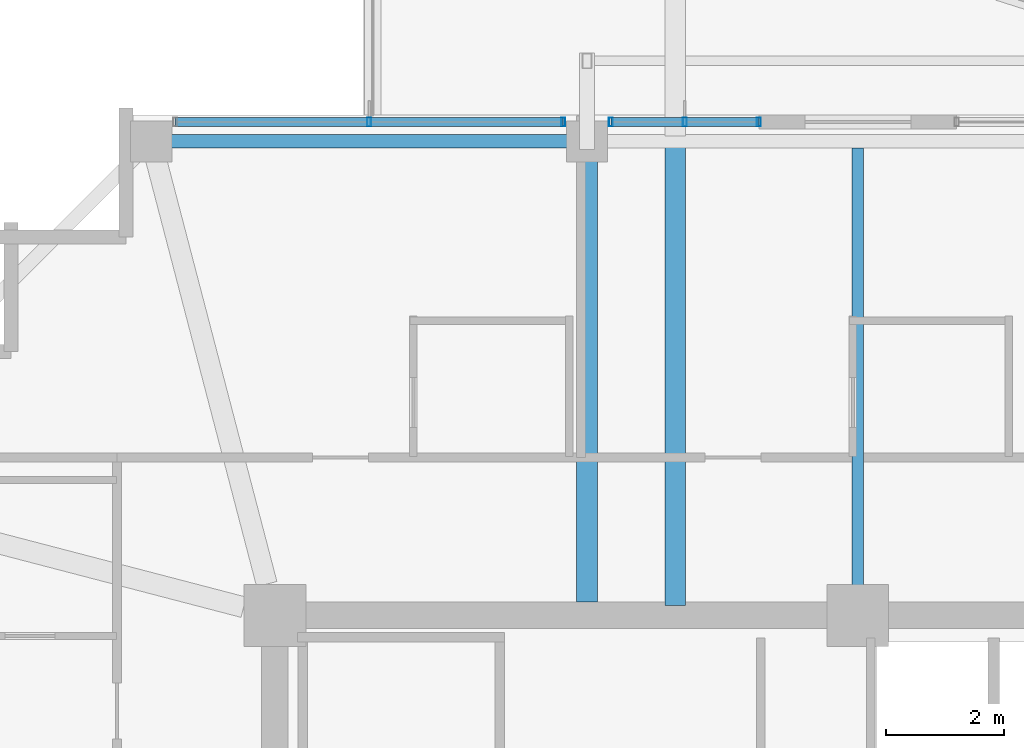
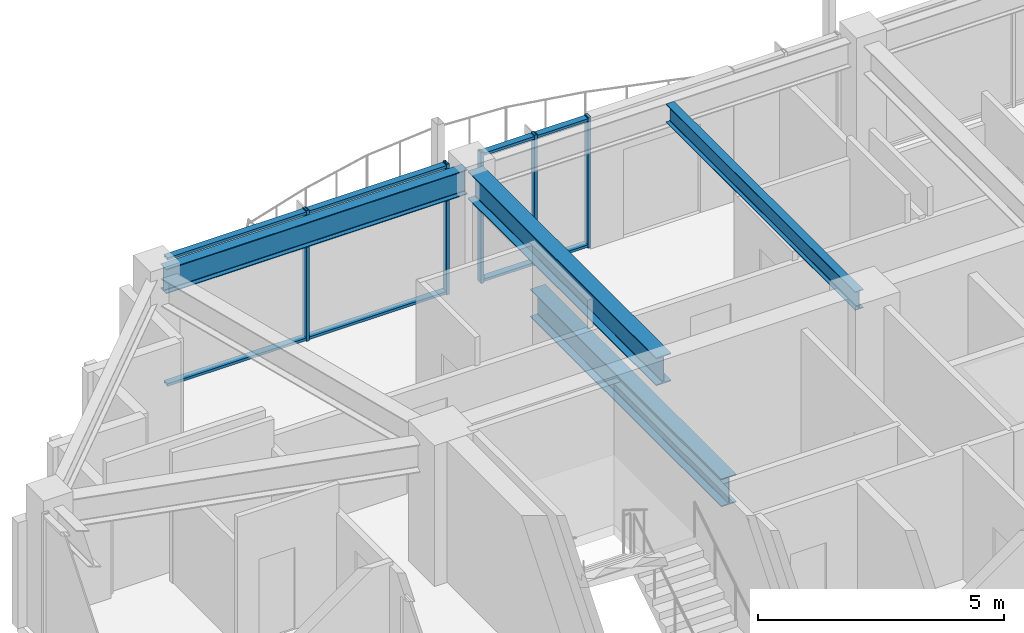
# One storey, part 16 of 34: 9 members, 4 beams, 2 elements without a shape of their own.
"""IFC4 building model written with IfcOpenShell, lengths in metres."""

import ifcopenshell
import ifcopenshell.guid

model = None  # the IFC model being written
_history = None  # IfcOwnerHistory: only IFC2X3 demands one
_inside = {}  # id of a spatial element -> (the spatial element, [elements in it])
_under = {}  # id of a project, library or spatial element -> (it, [spatial elements below it])
_declared = {}  # id of a project -> (the project, [libraries it declares])
_typed = {}  # id of a type object -> (the type object, [elements of that type])
_made_of = {}  # id of a material, layer set ... -> (it, [elements and type objects made of it])


def new_model(schema):
    """Start an empty IFC model of exactly this schema.

    Asked for "IFC4X3", IfcOpenShell would pick the latest addendum, in which some entities
    have other attributes; the version numbers below select the first issue.
    IFC2X3 requires an IfcOwnerHistory on every rooted entity: one is made here for all.
    """
    global model, _history
    if schema == "IFC4X3":
        model = ifcopenshell.file(schema_version=(4, 3, 0, 0))
    else:
        model = ifcopenshell.file(schema=schema)
    _inside.clear()
    _under.clear()
    _declared.clear()
    _typed.clear()
    _made_of.clear()
    _history = None
    if model.schema == "IFC2X3":
        org = make("IfcOrganization", Name="unknown")
        user = make(
            "IfcPersonAndOrganization",
            ThePerson=make("IfcPerson", FamilyName="unknown"),
            TheOrganization=org,
        )
        app = make(
            "IfcApplication",
            ApplicationDeveloper=org,
            Version="unknown",
            ApplicationFullName="unknown",
            ApplicationIdentifier="unknown",
        )
        _history = make(
            "IfcOwnerHistory",
            OwningUser=user,
            OwningApplication=app,
            ChangeAction="ADDED",
            CreationDate=0,
        )
    return model


def make(cls, **values):
    """One entity of the class cls with the attributes given. An attribute that is None is left unset."""
    return model.create_entity(
        cls, **{name: value for name, value in values.items() if value is not None}
    )


def rooted(cls, **values):
    """An entity with a GlobalId (a new one), such as an element, a storey or a relation."""
    return make(cls, GlobalId=ifcopenshell.guid.new(), OwnerHistory=_history, **values)


def si_unit(unit_type, name, prefix=None):
    """IfcSIUnit, for example si_unit("LENGTHUNIT", "METRE", prefix="MILLI")."""
    return make("IfcSIUnit", UnitType=unit_type, Prefix=prefix, Name=name)


def assignment(units):
    """IfcUnitAssignment: the units of a project."""
    return None if units is None else make("IfcUnitAssignment", Units=units)


def point(xyz):
    """IfcCartesianPoint."""
    return None if xyz is None else make("IfcCartesianPoint", Coordinates=xyz)


def direction(xyz):
    """IfcDirection."""
    return None if xyz is None else make("IfcDirection", DirectionRatios=xyz)


def frame(location, z_axis=None, x_axis=None):
    """IfcAxis2Placement3D, a coordinate frame: its origin and axes. An axis left out is left unset."""
    return make(
        "IfcAxis2Placement3D",
        Location=point(location),
        Axis=direction(z_axis),
        RefDirection=direction(x_axis),
    )


def frame_2d(location, x_axis=None):
    """IfcAxis2Placement2D, a coordinate frame in the plane: its origin and x axis."""
    return make(
        "IfcAxis2Placement2D", Location=point(location), RefDirection=direction(x_axis)
    )


def origin():
    """The frame at (0, 0, 0) with its axes left unset."""
    return frame((0.0, 0.0, 0.0))


def origin_2d():
    """The frame at (0, 0) in the plane with its x axis left unset."""
    return frame_2d((0.0, 0.0))


def place(relative_to, where):
    """IfcLocalPlacement: puts the frame where relative to a parent placement (None: the world)."""
    return make(
        "IfcLocalPlacement", PlacementRelTo=relative_to, RelativePlacement=where
    )


def context(
    kind, dimensions, precision=None, world=None, true_north=None, identifier=None
):
    """IfcGeometricRepresentationContext, for example the 3D "Model" context."""
    return make(
        "IfcGeometricRepresentationContext",
        ContextIdentifier=identifier,
        ContextType=kind,
        CoordinateSpaceDimension=dimensions,
        Precision=precision,
        WorldCoordinateSystem=world,
        TrueNorth=true_north,
    )


def subcontext(parent, identifier, kind, view, scale=None):
    """IfcGeometricRepresentationSubContext, for example "Body" below "Model"."""
    return make(
        "IfcGeometricRepresentationSubContext",
        ContextIdentifier=identifier,
        ContextType=kind,
        ParentContext=parent,
        TargetScale=scale,
        TargetView=view,
    )


def project(units=None, contexts=None):
    """IfcProject with its units and contexts."""
    return rooted(
        "IfcProject",
        Name="project",
        RepresentationContexts=contexts,
        UnitsInContext=assignment(units),
    )


def spatial(cls, under=None, at=None, **own):
    """A site, building, storey or space (cls), placed at a placement, below another one or the project."""
    s = rooted(cls, ObjectPlacement=at, **own)
    if under is not None:
        _under.setdefault(under.id(), (under, []))[1].append(s)
    return s


def profile(cls, at=None, kind="AREA", **sizes):
    """A parametric profile (cls). Its sizes go by their IFC names, for example OverallWidth=200.0."""
    return make(cls, ProfileType=kind, Position=at, **sizes)


def hollow_rectangle(**sizes):
    """IfcRectangleHollowProfileDef."""
    return profile("IfcRectangleHollowProfileDef", **sizes)


def i_section(**sizes):
    """IfcIShapeProfileDef."""
    return profile("IfcIShapeProfileDef", **sizes)


def extrude(swept, where, along, depth):
    """IfcExtrudedAreaSolid: the profile swept, set in the frame where, extruded along a direction by depth."""
    return make(
        "IfcExtrudedAreaSolid",
        SweptArea=swept,
        Position=where,
        ExtrudedDirection=direction(along),
        Depth=depth,
    )


def shape(context_of_items, identifier, shape_type, items):
    """IfcShapeRepresentation: the items that make up one representation, for example the "Body"."""
    return make(
        "IfcShapeRepresentation",
        ContextOfItems=context_of_items,
        RepresentationIdentifier=identifier,
        RepresentationType=shape_type,
        Items=items,
    )


def material(Name=None, Category=None):
    """IfcMaterial."""
    return make("IfcMaterial", Name=Name, Category=Category)


def material_profile(
    of_material, cross_section, Name=None, Category=None, Priority=None
):
    """IfcMaterialProfile: a cross section and its material."""
    return make(
        "IfcMaterialProfile",
        Name=Name,
        Material=of_material,
        Profile=cross_section,
        Priority=Priority,
        Category=Category,
    )


def profile_set(profiles, Name=None, composite=None):
    """IfcMaterialProfileSet."""
    return make(
        "IfcMaterialProfileSet",
        Name=Name,
        MaterialProfiles=profiles,
        CompositeProfile=composite,
    )


def made_of(thing, what):
    """Note that an element or type object is made of a material, layer set ...; save() writes the relation."""
    if what is not None:
        _made_of.setdefault(what.id(), (what, []))[1].append(thing)
    return thing


def type_object(cls, material=None, **own):
    """A type object (cls), such as IfcWallType, which elements share."""
    return made_of(rooted(cls, **own), material)


def element(
    cls,
    number,
    at=None,
    inside=None,
    cuts=None,
    type_object=None,
    material=None,
    context=None,
    identifier="Body",
    shape_type=None,
    held_by="IfcProductDefinitionShape",
    body=None,
    shapes=None,
    **own,
):
    """One element of the class cls, such as IfcWall. Its Tag is "e" and its number.

    at: its placement. inside: the storey or other place that contains it. cuts: it is an
    opening in that element (IfcRelVoidsElement). A single representation is given by context,
    identifier, shape_type and body (its items); several are given by shapes. held_by: the class
    of the entity that holds the representations. save() writes the other relations.
    """
    e = rooted(cls, Tag="e%d" % number, ObjectPlacement=at, **own)
    if body is not None:
        shapes = [shape(context, identifier, shape_type, body)]
    if shapes is not None:
        e.Representation = make(held_by, Representations=shapes)
    if inside is not None:
        _inside.setdefault(inside.id(), (inside, []))[1].append(e)
    if cuts is not None:
        rooted(
            "IfcRelVoidsElement", RelatingBuildingElement=cuts, RelatedOpeningElement=e
        )
    if type_object is not None:
        _typed.setdefault(type_object.id(), (type_object, []))[1].append(e)
    return made_of(e, material)


def aggregate(whole, parts):
    """IfcRelAggregates: a whole, such as a stair, and the parts it consists of."""
    return rooted("IfcRelAggregates", RelatingObject=whole, RelatedObjects=parts)


def save(model, path):
    """Write the relations noted so far, then the file.

    IfcRelAggregates (storeys below a building ...), IfcRelContainedInSpatialStructure (elements
    in a storey), IfcRelDefinesByType, IfcRelAssociatesMaterial and IfcRelDeclares: one each for
    every whole, place, type object, material and project.
    """
    for whole, parts in _under.values():
        aggregate(whole, parts)
    for where, things in _inside.values():
        rooted(
            "IfcRelContainedInSpatialStructure",
            RelatedElements=things,
            RelatingStructure=where,
        )
    for kind, things in _typed.values():
        rooted("IfcRelDefinesByType", RelatedObjects=things, RelatingType=kind)
    for what, things in _made_of.values():
        rooted("IfcRelAssociatesMaterial", RelatedObjects=things, RelatingMaterial=what)
    for by, libraries in _declared.values():
        rooted("IfcRelDeclares", RelatingContext=by, RelatedDefinitions=libraries)
    model.write(path)


model = new_model("IFC4")

# Units and contexts
model_context = context("Model", 3, precision=1e-05, world=origin(), true_north=direction((0.0, 1.0)))
body_context = subcontext(model_context, "Body", "Model", "MODEL_VIEW")
ifc_project = project(units=[si_unit("LENGTHUNIT", "METRE"), si_unit("AREAUNIT", "SQUARE_METRE"), si_unit("VOLUMEUNIT", "CUBIC_METRE"), si_unit("PLANEANGLEUNIT", "RADIAN"), si_unit("MASSUNIT", "GRAM", prefix="KILO")], contexts=[model_context])

# Site, building, storey
site_placement = place(None, origin())
site = spatial("IfcSite", under=ifc_project, at=site_placement, CompositionType="ELEMENT")
building_placement = place(site_placement, origin())
building = spatial("IfcBuilding", under=site, at=building_placement, Name="Kolvaren Belvedere", CompositionType="ELEMENT")
storey_placement = place(building_placement, frame((0.0, 0.0, 240.89990234375)))
storey = spatial("IfcBuildingStorey", under=building, at=storey_placement, Name="L70", CompositionType="ELEMENT", Elevation=240.89990234375)

# Beams
ifc_material_1 = material(Name="Structural steel ASTM A992 Grade 50", Category="steel")
ifc_material_profile_1 = material_profile(ifc_material_1, i_section(OverallWidth=0.35498046875, OverallDepth=0.696044921875, WebThickness=0.015380859375, FlangeThickness=0.02490234375, FilletRadius=0.02197265625, at=origin_2d()), Name="W27X146")
ifc_profile_set_1 = profile_set([ifc_material_profile_1], Name="Structural steel ASTM A992 Grade 50")
beam_type_1 = type_object("IfcBeamType", Name="BM-GIRD-W27X146", PredefinedType="BEAM", material=ifc_profile_set_1)
beam_1_placement = place(storey_placement, frame((-3.10009765625, 10.06494140625, -0.597900390625), z_axis=(0.0, 1.0, 0.0), x_axis=(-1.0, 0.0, 0.0)))
element("IfcBeam", 1, at=beam_1_placement, inside=storey, type_object=beam_type_1, Name="L70 Balcony Interior Back-Span Girder BAL-N-1", PredefinedType="BEAM", context=body_context, shape_type="SweptSolid", body=[
    extrude(i_section(OverallWidth=0.35498046875, OverallDepth=0.696044921875, WebThickness=0.015380859375, FlangeThickness=0.02490234375, FilletRadius=0.02197265625, at=origin_2d()), origin(), (0.0, 0.0, 1.0), 7.7900390625),
])
beam_2_placement = place(storey_placement, frame((-4.60009765625, 10.125, 2.902099609375), z_axis=(0.0, 1.0, 0.0), x_axis=(-1.0, 0.0, 0.0)))
element("IfcBeam", 2, at=beam_2_placement, inside=storey, type_object=beam_type_1, Name="L70 North Radial Girder M", PredefinedType="BEAM", context=body_context, shape_type="SweptSolid", body=[
    extrude(i_section(OverallWidth=0.35498046875, OverallDepth=0.696044921875, WebThickness=0.015380859375, FlangeThickness=0.02490234375, FilletRadius=0.02197265625, at=origin_2d()), origin(), (0.0, 0.0, 1.0), 7.66748046875),
])
ifc_material_2 = material(Name="Structural steel ASTM A992 Grade 50", Category="steel")
ifc_material_profile_2 = material_profile(ifc_material_2, i_section(OverallWidth=0.19091796875, OverallDepth=0.4599609375, WebThickness=0.010009765625, FlangeThickness=0.01611328125, FilletRadius=0.014892578125, at=origin_2d()), Name="W18X55")
ifc_profile_set_2 = profile_set([ifc_material_profile_2], Name="Structural steel ASTM A992 Grade 50")
beam_type_2 = type_object("IfcBeamType", Name="BM-JOIST-W18X55", PredefinedType="BEAM", material=ifc_profile_set_2)
beam_3_placement = place(storey_placement, frame((0.0, 10.125, 3.02001953125), z_axis=(0.0, 1.0, 0.0), x_axis=(-1.0, 0.0, 0.0)))
element("IfcBeam", 3, at=beam_3_placement, inside=storey, type_object=beam_type_2, Name="L70 North Centre Floor Beam", PredefinedType="BEAM", context=body_context, shape_type="SweptSolid", body=[
    extrude(i_section(OverallWidth=0.19091796875, OverallDepth=0.4599609375, WebThickness=0.010009765625, FlangeThickness=0.01611328125, FilletRadius=0.014892578125, at=origin_2d()), origin(), (0.0, 0.0, 1.0), 7.71044921875),
])
ifc_material_3 = material(Name="Structural steel ASTM A992 Grade 50", Category="steel")
ifc_material_profile_3 = material_profile(ifc_material_3, i_section(OverallWidth=0.22900390625, OverallDepth=0.612060546875, WebThickness=0.011962890625, FlangeThickness=0.01953125, FilletRadius=0.01806640625, at=origin_2d()), Name="W24X84")
ifc_profile_set_3 = profile_set([ifc_material_profile_3], Name="Structural steel ASTM A992 Grade 50")
beam_type_3 = type_object("IfcBeamType", Name="BM-SPAN-W24X84", PredefinedType="SPANDREL", material=ifc_profile_set_3)
beam_4_placement = place(storey_placement, frame((-4.757568359375, 17.949951171875, 2.944091796875), z_axis=(-1.0, 0.0, 0.0), x_axis=(0.0, -1.0, 0.0)))
element("IfcBeam", 4, at=beam_4_placement, inside=storey, type_object=beam_type_3, Name="L70 Perimeter Spandrel N2-N1", PredefinedType="SPANDREL", context=body_context, shape_type="SweptSolid", body=[
    extrude(i_section(OverallWidth=0.22900390625, OverallDepth=0.612060546875, WebThickness=0.011962890625, FlangeThickness=0.01953125, FilletRadius=0.01806640625, at=origin_2d()), origin(), (0.0, 0.0, 1.0), 7.0849609375),
])

# Curtain wall, members
ifc_material_4 = material(Name="Anodised pale-metal aluminium AA 6063-T6", Category="aluminium")
curtain_wall_type = type_object("IfcCurtainWallType", Name="CW-Z5-HIGH", PredefinedType="NOTDEFINED", material=ifc_material_4)
curtain_wall_1_placement = place(storey_placement, origin())
curtain_wall_1 = element("IfcCurtainWall", 5, at=curtain_wall_1_placement, inside=storey, type_object=curtain_wall_type, Name="L70 Unitised Curtain Wall FCW-L70-N1-B1", PredefinedType="NOTDEFINED")
ifc_material_5 = material(Name="Anodised pale-metal aluminium AA 6063-T6", Category="aluminium")
ifc_material_profile_4 = material_profile(ifc_material_5, hollow_rectangle(XDim=0.070068359375, YDim=0.14990234375, WallThickness=0.004150390625, at=origin_2d()), Name="ALU-MUL-150X70")
ifc_profile_set_4 = profile_set([ifc_material_profile_4], Name="Anodised pale-metal aluminium AA 6063-T6")
member_type_1 = type_object("IfcMemberType", Name="CW-MUL-150", PredefinedType="MULLION", material=ifc_profile_set_4)
member_1_placement = place(storey_placement, frame((-8.300048828125, 18.280029296875, 0.0), z_axis=(0.0, 0.0, 1.0), x_axis=(1.0, 0.0, 0.0)))
member_1 = element("IfcMember", 6, at=member_1_placement, type_object=member_type_1, Name="FCW-L70-N1-B1 Unitised Mullion 2", PredefinedType="MULLION", context=body_context, shape_type="SweptSolid", body=[
    extrude(hollow_rectangle(XDim=0.070068359375, YDim=0.14990234375, WallThickness=0.004150390625, at=origin_2d()), origin(), (0.0, 0.0, 1.0), 3.25),
])
member_2_placement = place(storey_placement, frame((-5.0048828125, 18.280029296875, 0.0), z_axis=(0.0, 0.0, 1.0), x_axis=(1.0, 0.0, 0.0)))
member_2 = element("IfcMember", 7, at=member_2_placement, type_object=member_type_1, Name="FCW-L70-N1-B1 Unitised Mullion 3", PredefinedType="MULLION", context=body_context, shape_type="SweptSolid", body=[
    extrude(hollow_rectangle(XDim=0.070068359375, YDim=0.14990234375, WallThickness=0.004150390625, at=origin_2d()), origin(), (0.0, 0.0, 1.0), 3.25),
])

curtain_wall_2_placement = place(storey_placement, origin())
curtain_wall_2 = element("IfcCurtainWall", 8, at=curtain_wall_2_placement, inside=storey, type_object=curtain_wall_type, Name="L70 Unitised Curtain Wall FCW-L70-N1-B2", PredefinedType="NOTDEFINED")
member_3_placement = place(storey_placement, frame((-4.195068359375, 18.280029296875, 0.0), z_axis=(0.0, 0.0, 1.0), x_axis=(1.0, 0.0, 0.0)))
member_3 = element("IfcMember", 9, at=member_3_placement, type_object=member_type_1, Name="FCW-L70-N1-B2 Unitised Mullion 1", PredefinedType="MULLION", context=body_context, shape_type="SweptSolid", body=[
    extrude(hollow_rectangle(XDim=0.070068359375, YDim=0.14990234375, WallThickness=0.004150390625, at=origin_2d()), origin(), (0.0, 0.0, 1.0), 3.25),
])
member_4_placement = place(storey_placement, frame((-2.9375, 18.280029296875, 0.0), z_axis=(0.0, 0.0, 1.0), x_axis=(1.0, 0.0, 0.0)))
member_4 = element("IfcMember", 10, at=member_4_placement, type_object=member_type_1, Name="FCW-L70-N1-B2 Unitised Mullion 2", PredefinedType="MULLION", context=body_context, shape_type="SweptSolid", body=[
    extrude(hollow_rectangle(XDim=0.070068359375, YDim=0.14990234375, WallThickness=0.004150390625, at=origin_2d()), origin(), (0.0, 0.0, 1.0), 3.25),
])
member_5_placement = place(storey_placement, frame((-1.679931640625, 18.280029296875, 0.0), z_axis=(0.0, 0.0, 1.0), x_axis=(1.0, 0.0, 0.0)))
member_5 = element("IfcMember", 11, at=member_5_placement, type_object=member_type_1, Name="FCW-L70-N1-B2 Unitised Mullion 3", PredefinedType="MULLION", context=body_context, shape_type="SweptSolid", body=[
    extrude(hollow_rectangle(XDim=0.070068359375, YDim=0.14990234375, WallThickness=0.004150390625, at=origin_2d()), origin(), (0.0, 0.0, 1.0), 3.25),
])

# Member
ifc_material_6 = material(Name="Anodised pale-metal aluminium AA 6063-T6", Category="aluminium")
ifc_material_profile_5 = material_profile(ifc_material_6, hollow_rectangle(XDim=0.06494140625, YDim=0.14990234375, WallThickness=0.00390625, at=origin_2d()), Name="ALU-TRN-150X65")
ifc_profile_set_5 = profile_set([ifc_material_profile_5], Name="Anodised pale-metal aluminium AA 6063-T6")
member_type_2 = type_object("IfcMemberType", Name="CW-TRN-150", PredefinedType="USERDEFINED", material=ifc_profile_set_5)
member_6_placement = place(storey_placement, frame((-11.594970703125, 18.280029296875, 0.06005859375), z_axis=(1.0, 0.0, 0.0), x_axis=(0.0, 0.0, 1.0)))
member_6 = element("IfcMember", 12, at=member_6_placement, type_object=member_type_2, Name="FCW-L70-N1-B1 Sill Transom", ObjectType="TRANSOM", PredefinedType="USERDEFINED", context=body_context, shape_type="SweptSolid", body=[
    extrude(hollow_rectangle(XDim=0.06494140625, YDim=0.14990234375, WallThickness=0.00390625, at=origin_2d()), origin(), (0.0, 0.0, 1.0), 6.590087890625),
])

member_7_placement = place(storey_placement, frame((-11.594970703125, 18.280029296875, 3.190185546875), z_axis=(1.0, 0.0, 0.0), x_axis=(0.0, 0.0, 1.0)))
member_7 = element("IfcMember", 13, at=member_7_placement, type_object=member_type_2, Name="FCW-L70-N1-B1 Head Transom", ObjectType="TRANSOM", PredefinedType="USERDEFINED", context=body_context, shape_type="SweptSolid", body=[
    extrude(hollow_rectangle(XDim=0.06494140625, YDim=0.14990234375, WallThickness=0.00390625, at=origin_2d()), origin(), (0.0, 0.0, 1.0), 6.590087890625),
])

aggregate(curtain_wall_1, [member_1, member_2, member_6, member_7])

member_8_placement = place(storey_placement, frame((-4.195068359375, 18.280029296875, 0.06005859375), z_axis=(1.0, 0.0, 0.0), x_axis=(0.0, 0.0, 1.0)))
member_8 = element("IfcMember", 14, at=member_8_placement, type_object=member_type_2, Name="FCW-L70-N1-B2 Sill Transom", ObjectType="TRANSOM", PredefinedType="USERDEFINED", context=body_context, shape_type="SweptSolid", body=[
    extrude(hollow_rectangle(XDim=0.06494140625, YDim=0.14990234375, WallThickness=0.00390625, at=origin_2d()), origin(), (0.0, 0.0, 1.0), 2.51513671875),
])

member_9_placement = place(storey_placement, frame((-4.195068359375, 18.280029296875, 3.190185546875), z_axis=(1.0, 0.0, 0.0), x_axis=(0.0, 0.0, 1.0)))
member_9 = element("IfcMember", 15, at=member_9_placement, type_object=member_type_2, Name="FCW-L70-N1-B2 Head Transom", ObjectType="TRANSOM", PredefinedType="USERDEFINED", context=body_context, shape_type="SweptSolid", body=[
    extrude(hollow_rectangle(XDim=0.06494140625, YDim=0.14990234375, WallThickness=0.00390625, at=origin_2d()), origin(), (0.0, 0.0, 1.0), 2.51513671875),
])

aggregate(curtain_wall_2, [member_3, member_4, member_5, member_8, member_9])

save(model, "model.ifc")
